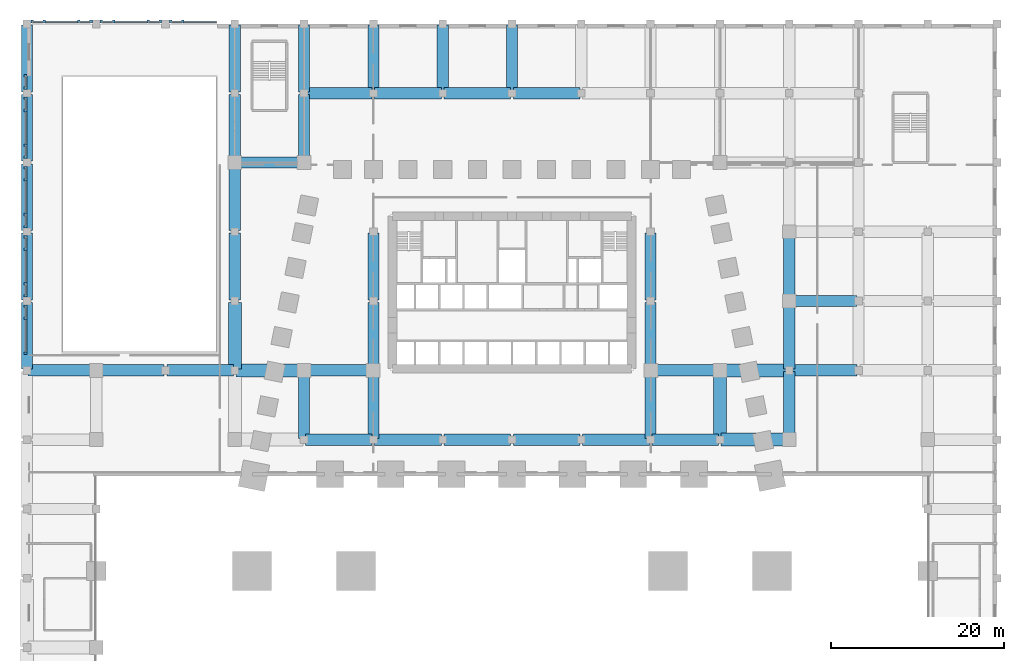
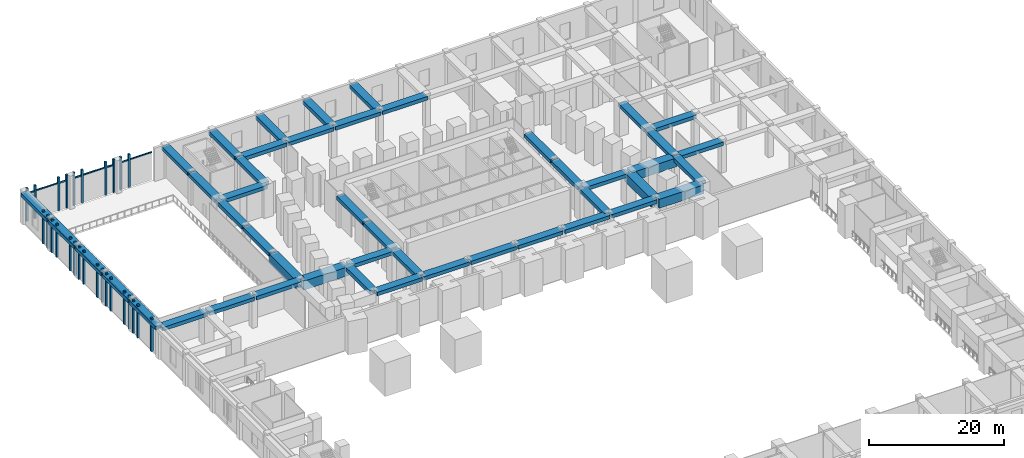
# One storey, part 2 of 25: 47 beams, 47 members, 8 elements without a shape of their own.
"""IFC4 building model written with IfcOpenShell, lengths in metres."""

from ifc_helpers import new_model, si_unit, direction, frame, origin, origin_2d, place, context, subcontext, project, spatial, rectangle, extrude, material, material_profile, profile_set, type_object, element, aggregate, save


model = new_model("IFC4")

# Units and contexts
model_context = context("Model", 3, precision=1e-05, world=origin(), true_north=direction((0.0, 1.0)))
body_context = subcontext(model_context, "Body", "Model", "MODEL_VIEW")
ifc_project = project(units=[si_unit("LENGTHUNIT", "METRE"), si_unit("AREAUNIT", "SQUARE_METRE"), si_unit("VOLUMEUNIT", "CUBIC_METRE"), si_unit("PLANEANGLEUNIT", "RADIAN"), si_unit("MASSUNIT", "GRAM", prefix="KILO")], contexts=[model_context])

# Site, building, storey
site_placement = place(None, origin())
site = spatial("IfcSite", under=ifc_project, at=site_placement, CompositionType="ELEMENT")
building_placement = place(site_placement, origin())
building = spatial("IfcBuilding", under=site, at=building_placement, Name="Isbrekke Arena Tower", CompositionType="ELEMENT")
storey_placement = place(building_placement, frame((0.0, 0.0, 6.0)))
storey = spatial("IfcBuildingStorey", under=building, at=storey_placement, Name="L01", CompositionType="ELEMENT", Elevation=6.0)

# Curtain wall, members
ifc_material_1 = material(Name="Glazed aluminium curtain wall", Category="aluminium")
curtain_wall_type = type_object("IfcCurtainWallType", Name="CWP ATRIUM CURTAIN WALL", PredefinedType="USERDEFINED", material=ifc_material_1)
curtain_wall_1_placement = place(storey_placement, origin())
curtain_wall_1 = element("IfcCurtainWall", 1, at=curtain_wall_1_placement, inside=storey, type_object=curtain_wall_type, Name="CWP curtain wall L01-PW", ObjectType="ATRIUM CURTAIN WALL", PredefinedType="USERDEFINED")
ifc_material_2 = material(Name="Aluminium mullion, pale brick slip cladding", Category="masonry")
ifc_material_profile_1 = material_profile(ifc_material_2, rectangle(XDim=0.300048828125, YDim=0.35009765625, at=origin_2d()), Name="PIER 300X350")
ifc_profile_set_1 = profile_set([ifc_material_profile_1], Name="Aluminium mullion, pale brick slip cladding")
member_type_1 = type_object("IfcMemberType", Name="CWP-M PIER MULLION 300 x 350", PredefinedType="MULLION", material=ifc_profile_set_1)
member_1_placement = place(storey_placement, frame((-56.175048828125, 40.0, 0.0), z_axis=(0.0, 0.0, 1.0), x_axis=(0.0, -1.0, 0.0)))
member_1 = element("IfcMember", 2, at=member_1_placement, type_object=member_type_1, Name="CWP-M mullion 1", PredefinedType="MULLION", context=body_context, shape_type="SweptSolid", body=[
    extrude(rectangle(XDim=0.300048828125, YDim=0.35009765625, at=origin_2d()), origin(), (0.0, 0.0, 1.0), 6.0),
])
member_2_placement = place(storey_placement, frame((-56.175048828125, 38.60009765625, 0.0), z_axis=(0.0, 0.0, 1.0), x_axis=(0.0, -1.0, 0.0)))
member_2 = element("IfcMember", 3, at=member_2_placement, type_object=member_type_1, Name="CWP-M mullion 2", PredefinedType="MULLION", context=body_context, shape_type="SweptSolid", body=[
    extrude(rectangle(XDim=0.300048828125, YDim=0.35009765625, at=origin_2d()), origin(), (0.0, 0.0, 1.0), 6.0),
])

curtain_wall_2_placement = place(storey_placement, origin())
curtain_wall_2 = element("IfcCurtainWall", 4, at=curtain_wall_2_placement, inside=storey, type_object=curtain_wall_type, Name="CWP curtain wall L01-PW2", ObjectType="ATRIUM CURTAIN WALL", PredefinedType="USERDEFINED")
member_3_placement = place(storey_placement, frame((-56.175048828125, 37.39990234375, 0.0), z_axis=(0.0, 0.0, 1.0), x_axis=(0.0, -1.0, 0.0)))
member_3 = element("IfcMember", 5, at=member_3_placement, type_object=member_type_1, Name="CWP-M mullion 1", PredefinedType="MULLION", context=body_context, shape_type="SweptSolid", body=[
    extrude(rectangle(XDim=0.300048828125, YDim=0.35009765625, at=origin_2d()), origin(), (0.0, 0.0, 1.0), 6.0),
])
member_4_placement = place(storey_placement, frame((-56.175048828125, 36.0, 0.0), z_axis=(0.0, 0.0, 1.0), x_axis=(0.0, -1.0, 0.0)))
member_4 = element("IfcMember", 6, at=member_4_placement, type_object=member_type_1, Name="CWP-M mullion 2", PredefinedType="MULLION", context=body_context, shape_type="SweptSolid", body=[
    extrude(rectangle(XDim=0.300048828125, YDim=0.35009765625, at=origin_2d()), origin(), (0.0, 0.0, 1.0), 6.0),
])
member_5_placement = place(storey_placement, frame((-56.175048828125, 32.0, 0.0), z_axis=(0.0, 0.0, 1.0), x_axis=(0.0, -1.0, 0.0)))
member_5 = element("IfcMember", 7, at=member_5_placement, type_object=member_type_1, Name="CWP-M mullion 3", PredefinedType="MULLION", context=body_context, shape_type="SweptSolid", body=[
    extrude(rectangle(XDim=0.300048828125, YDim=0.35009765625, at=origin_2d()), origin(), (0.0, 0.0, 1.0), 6.0),
])
member_6_placement = place(storey_placement, frame((-56.175048828125, 30.60009765625, 0.0), z_axis=(0.0, 0.0, 1.0), x_axis=(0.0, -1.0, 0.0)))
member_6 = element("IfcMember", 8, at=member_6_placement, type_object=member_type_1, Name="CWP-M mullion 4", PredefinedType="MULLION", context=body_context, shape_type="SweptSolid", body=[
    extrude(rectangle(XDim=0.300048828125, YDim=0.35009765625, at=origin_2d()), origin(), (0.0, 0.0, 1.0), 6.0),
])

curtain_wall_3_placement = place(storey_placement, origin())
curtain_wall_3 = element("IfcCurtainWall", 9, at=curtain_wall_3_placement, inside=storey, type_object=curtain_wall_type, Name="CWP curtain wall L01-PW3", ObjectType="ATRIUM CURTAIN WALL", PredefinedType="USERDEFINED")
member_7_placement = place(storey_placement, frame((-56.175048828125, 29.39990234375, 0.0), z_axis=(0.0, 0.0, 1.0), x_axis=(0.0, -1.0, 0.0)))
member_7 = element("IfcMember", 10, at=member_7_placement, type_object=member_type_1, Name="CWP-M mullion 1", PredefinedType="MULLION", context=body_context, shape_type="SweptSolid", body=[
    extrude(rectangle(XDim=0.300048828125, YDim=0.35009765625, at=origin_2d()), origin(), (0.0, 0.0, 1.0), 6.0),
])
member_8_placement = place(storey_placement, frame((-56.175048828125, 28.0, 0.0), z_axis=(0.0, 0.0, 1.0), x_axis=(0.0, -1.0, 0.0)))
member_8 = element("IfcMember", 11, at=member_8_placement, type_object=member_type_1, Name="CWP-M mullion 2", PredefinedType="MULLION", context=body_context, shape_type="SweptSolid", body=[
    extrude(rectangle(XDim=0.300048828125, YDim=0.35009765625, at=origin_2d()), origin(), (0.0, 0.0, 1.0), 6.0),
])
member_9_placement = place(storey_placement, frame((-56.175048828125, 24.0, 0.0), z_axis=(0.0, 0.0, 1.0), x_axis=(0.0, -1.0, 0.0)))
member_9 = element("IfcMember", 12, at=member_9_placement, type_object=member_type_1, Name="CWP-M mullion 3", PredefinedType="MULLION", context=body_context, shape_type="SweptSolid", body=[
    extrude(rectangle(XDim=0.300048828125, YDim=0.35009765625, at=origin_2d()), origin(), (0.0, 0.0, 1.0), 6.0),
])
member_10_placement = place(storey_placement, frame((-56.175048828125, 22.60009765625, 0.0), z_axis=(0.0, 0.0, 1.0), x_axis=(0.0, -1.0, 0.0)))
member_10 = element("IfcMember", 13, at=member_10_placement, type_object=member_type_1, Name="CWP-M mullion 4", PredefinedType="MULLION", context=body_context, shape_type="SweptSolid", body=[
    extrude(rectangle(XDim=0.300048828125, YDim=0.35009765625, at=origin_2d()), origin(), (0.0, 0.0, 1.0), 6.0),
])

curtain_wall_4_placement = place(storey_placement, origin())
curtain_wall_4 = element("IfcCurtainWall", 14, at=curtain_wall_4_placement, inside=storey, type_object=curtain_wall_type, Name="CWP curtain wall L01-PW4", ObjectType="ATRIUM CURTAIN WALL", PredefinedType="USERDEFINED")
member_11_placement = place(storey_placement, frame((-56.175048828125, 21.39990234375, 0.0), z_axis=(0.0, 0.0, 1.0), x_axis=(0.0, -1.0, 0.0)))
member_11 = element("IfcMember", 15, at=member_11_placement, type_object=member_type_1, Name="CWP-M mullion 1", PredefinedType="MULLION", context=body_context, shape_type="SweptSolid", body=[
    extrude(rectangle(XDim=0.300048828125, YDim=0.35009765625, at=origin_2d()), origin(), (0.0, 0.0, 1.0), 6.0),
])
member_12_placement = place(storey_placement, frame((-56.175048828125, 20.0, 0.0), z_axis=(0.0, 0.0, 1.0), x_axis=(0.0, -1.0, 0.0)))
member_12 = element("IfcMember", 16, at=member_12_placement, type_object=member_type_1, Name="CWP-M mullion 2", PredefinedType="MULLION", context=body_context, shape_type="SweptSolid", body=[
    extrude(rectangle(XDim=0.300048828125, YDim=0.35009765625, at=origin_2d()), origin(), (0.0, 0.0, 1.0), 6.0),
])
member_13_placement = place(storey_placement, frame((-56.175048828125, 16.0, 0.0), z_axis=(0.0, 0.0, 1.0), x_axis=(0.0, -1.0, 0.0)))
member_13 = element("IfcMember", 17, at=member_13_placement, type_object=member_type_1, Name="CWP-M mullion 3", PredefinedType="MULLION", context=body_context, shape_type="SweptSolid", body=[
    extrude(rectangle(XDim=0.300048828125, YDim=0.35009765625, at=origin_2d()), origin(), (0.0, 0.0, 1.0), 6.0),
])
member_14_placement = place(storey_placement, frame((-56.175048828125, 14.60009765625, 0.0), z_axis=(0.0, 0.0, 1.0), x_axis=(0.0, -1.0, 0.0)))
member_14 = element("IfcMember", 18, at=member_14_placement, type_object=member_type_1, Name="CWP-M mullion 4", PredefinedType="MULLION", context=body_context, shape_type="SweptSolid", body=[
    extrude(rectangle(XDim=0.300048828125, YDim=0.35009765625, at=origin_2d()), origin(), (0.0, 0.0, 1.0), 6.0),
])

curtain_wall_5_placement = place(storey_placement, origin())
curtain_wall_5 = element("IfcCurtainWall", 19, at=curtain_wall_5_placement, inside=storey, type_object=curtain_wall_type, Name="CWP curtain wall L01-PW5", ObjectType="ATRIUM CURTAIN WALL", PredefinedType="USERDEFINED")
member_15_placement = place(storey_placement, frame((-56.175048828125, 13.39990234375, 0.0), z_axis=(0.0, 0.0, 1.0), x_axis=(0.0, -1.0, 0.0)))
member_15 = element("IfcMember", 20, at=member_15_placement, type_object=member_type_1, Name="CWP-M mullion 1", PredefinedType="MULLION", context=body_context, shape_type="SweptSolid", body=[
    extrude(rectangle(XDim=0.300048828125, YDim=0.35009765625, at=origin_2d()), origin(), (0.0, 0.0, 1.0), 6.0),
])
member_16_placement = place(storey_placement, frame((-56.175048828125, 12.0, 0.0), z_axis=(0.0, 0.0, 1.0), x_axis=(0.0, -1.0, 0.0)))
member_16 = element("IfcMember", 21, at=member_16_placement, type_object=member_type_1, Name="CWP-M mullion 2", PredefinedType="MULLION", context=body_context, shape_type="SweptSolid", body=[
    extrude(rectangle(XDim=0.300048828125, YDim=0.35009765625, at=origin_2d()), origin(), (0.0, 0.0, 1.0), 6.0),
])
member_17_placement = place(storey_placement, frame((-56.175048828125, 8.0, 0.0), z_axis=(0.0, 0.0, 1.0), x_axis=(0.0, -1.0, 0.0)))
member_17 = element("IfcMember", 22, at=member_17_placement, type_object=member_type_1, Name="CWP-M mullion 3", PredefinedType="MULLION", context=body_context, shape_type="SweptSolid", body=[
    extrude(rectangle(XDim=0.300048828125, YDim=0.35009765625, at=origin_2d()), origin(), (0.0, 0.0, 1.0), 6.0),
])

curtain_wall_6_placement = place(storey_placement, origin())
curtain_wall_6 = element("IfcCurtainWall", 23, at=curtain_wall_6_placement, inside=storey, type_object=curtain_wall_type, Name="CWP curtain wall L01-PN", ObjectType="ATRIUM CURTAIN WALL", PredefinedType="USERDEFINED")
member_18_placement = place(storey_placement, frame((-38.0, 46.25, 0.0), z_axis=(0.0, 0.0, 1.0), x_axis=(-1.0, 0.0, 0.0)))
member_18 = element("IfcMember", 24, at=member_18_placement, type_object=member_type_1, Name="CWP-M mullion 1", PredefinedType="MULLION", context=body_context, shape_type="SweptSolid", body=[
    extrude(rectangle(XDim=0.300048828125, YDim=0.35009765625, at=origin_2d()), origin(), (0.0, 0.0, 1.0), 6.0),
])
member_19_placement = place(storey_placement, frame((-39.39990234375, 46.25, 0.0), z_axis=(0.0, 0.0, 1.0), x_axis=(-1.0, 0.0, 0.0)))
member_19 = element("IfcMember", 25, at=member_19_placement, type_object=member_type_1, Name="CWP-M mullion 2", PredefinedType="MULLION", context=body_context, shape_type="SweptSolid", body=[
    extrude(rectangle(XDim=0.300048828125, YDim=0.35009765625, at=origin_2d()), origin(), (0.0, 0.0, 1.0), 6.0),
])

curtain_wall_7_placement = place(storey_placement, origin())
curtain_wall_7 = element("IfcCurtainWall", 26, at=curtain_wall_7_placement, inside=storey, type_object=curtain_wall_type, Name="CWP curtain wall L01-PN2", ObjectType="ATRIUM CURTAIN WALL", PredefinedType="USERDEFINED")
member_20_placement = place(storey_placement, frame((-40.60009765625, 46.25, 0.0), z_axis=(0.0, 0.0, 1.0), x_axis=(-1.0, 0.0, 0.0)))
member_20 = element("IfcMember", 27, at=member_20_placement, type_object=member_type_1, Name="CWP-M mullion 1", PredefinedType="MULLION", context=body_context, shape_type="SweptSolid", body=[
    extrude(rectangle(XDim=0.300048828125, YDim=0.35009765625, at=origin_2d()), origin(), (0.0, 0.0, 1.0), 6.0),
])
member_21_placement = place(storey_placement, frame((-42.0, 46.25, 0.0), z_axis=(0.0, 0.0, 1.0), x_axis=(-1.0, 0.0, 0.0)))
member_21 = element("IfcMember", 28, at=member_21_placement, type_object=member_type_1, Name="CWP-M mullion 2", PredefinedType="MULLION", context=body_context, shape_type="SweptSolid", body=[
    extrude(rectangle(XDim=0.300048828125, YDim=0.35009765625, at=origin_2d()), origin(), (0.0, 0.0, 1.0), 6.0),
])
member_22_placement = place(storey_placement, frame((-46.0, 46.25, 0.0), z_axis=(0.0, 0.0, 1.0), x_axis=(-1.0, 0.0, 0.0)))
member_22 = element("IfcMember", 29, at=member_22_placement, type_object=member_type_1, Name="CWP-M mullion 3", PredefinedType="MULLION", context=body_context, shape_type="SweptSolid", body=[
    extrude(rectangle(XDim=0.300048828125, YDim=0.35009765625, at=origin_2d()), origin(), (0.0, 0.0, 1.0), 6.0),
])
member_23_placement = place(storey_placement, frame((-47.39990234375, 46.25, 0.0), z_axis=(0.0, 0.0, 1.0), x_axis=(-1.0, 0.0, 0.0)))
member_23 = element("IfcMember", 30, at=member_23_placement, type_object=member_type_1, Name="CWP-M mullion 4", PredefinedType="MULLION", context=body_context, shape_type="SweptSolid", body=[
    extrude(rectangle(XDim=0.300048828125, YDim=0.35009765625, at=origin_2d()), origin(), (0.0, 0.0, 1.0), 6.0),
])

curtain_wall_8_placement = place(storey_placement, origin())
curtain_wall_8 = element("IfcCurtainWall", 31, at=curtain_wall_8_placement, inside=storey, type_object=curtain_wall_type, Name="CWP curtain wall L01-PN3", ObjectType="ATRIUM CURTAIN WALL", PredefinedType="USERDEFINED")
member_24_placement = place(storey_placement, frame((-48.60009765625, 46.25, 0.0), z_axis=(0.0, 0.0, 1.0), x_axis=(-1.0, 0.0, 0.0)))
member_24 = element("IfcMember", 32, at=member_24_placement, type_object=member_type_1, Name="CWP-M mullion 1", PredefinedType="MULLION", context=body_context, shape_type="SweptSolid", body=[
    extrude(rectangle(XDim=0.300048828125, YDim=0.35009765625, at=origin_2d()), origin(), (0.0, 0.0, 1.0), 6.0),
])
member_25_placement = place(storey_placement, frame((-50.0, 46.25, 0.0), z_axis=(0.0, 0.0, 1.0), x_axis=(-1.0, 0.0, 0.0)))
member_25 = element("IfcMember", 33, at=member_25_placement, type_object=member_type_1, Name="CWP-M mullion 2", PredefinedType="MULLION", context=body_context, shape_type="SweptSolid", body=[
    extrude(rectangle(XDim=0.300048828125, YDim=0.35009765625, at=origin_2d()), origin(), (0.0, 0.0, 1.0), 6.0),
])
member_26_placement = place(storey_placement, frame((-54.0, 46.25, 0.0), z_axis=(0.0, 0.0, 1.0), x_axis=(-1.0, 0.0, 0.0)))
member_26 = element("IfcMember", 34, at=member_26_placement, type_object=member_type_1, Name="CWP-M mullion 3", PredefinedType="MULLION", context=body_context, shape_type="SweptSolid", body=[
    extrude(rectangle(XDim=0.300048828125, YDim=0.35009765625, at=origin_2d()), origin(), (0.0, 0.0, 1.0), 6.0),
])
member_27_placement = place(storey_placement, frame((-55.402099609375, 46.25, 0.0), z_axis=(0.0, 0.0, 1.0), x_axis=(-1.0, 0.0, 0.0)))
member_27 = element("IfcMember", 35, at=member_27_placement, type_object=member_type_1, Name="CWP-M mullion 4", PredefinedType="MULLION", context=body_context, shape_type="SweptSolid", body=[
    extrude(rectangle(XDim=0.300048828125, YDim=0.35009765625, at=origin_2d()), origin(), (0.0, 0.0, 1.0), 6.0),
])

# Member
ifc_material_3 = material(Name="Aluminium transom", Category="aluminium")
ifc_material_profile_2 = material_profile(ifc_material_3, rectangle(XDim=0.1201171875, YDim=0.199951171875, at=origin_2d()), Name="TRANSOM 120X200")
ifc_profile_set_2 = profile_set([ifc_material_profile_2], Name="Aluminium transom")
member_type_2 = type_object("IfcMemberType", Name="CWP-T TRANSOM 120 x 200", PredefinedType="USERDEFINED", material=ifc_profile_set_2)
member_28_placement = place(storey_placement, frame((-56.10009765625, 39.85009765625, 5.0), z_axis=(0.0, -1.0, 0.0), x_axis=(1.0, 0.0, 0.0)))
member_28 = element("IfcMember", 36, at=member_28_placement, type_object=member_type_2, Name="CWP-T transom 1", ObjectType="TRANSOM", PredefinedType="USERDEFINED", context=body_context, shape_type="SweptSolid", body=[
    extrude(rectangle(XDim=0.1201171875, YDim=0.199951171875, at=origin_2d()), origin(), (0.0, 0.0, 1.0), 1.10009765625),
])

aggregate(curtain_wall_1, [member_1, member_2, member_28])

member_29_placement = place(storey_placement, frame((-56.10009765625, 37.25, 5.0), z_axis=(0.0, -1.0, 0.0), x_axis=(1.0, 0.0, 0.0)))
member_29 = element("IfcMember", 37, at=member_29_placement, type_object=member_type_2, Name="CWP-T transom 1", ObjectType="TRANSOM", PredefinedType="USERDEFINED", context=body_context, shape_type="SweptSolid", body=[
    extrude(rectangle(XDim=0.1201171875, YDim=0.199951171875, at=origin_2d()), origin(), (0.0, 0.0, 1.0), 1.10009765625),
])

member_30_placement = place(storey_placement, frame((-56.10009765625, 35.85009765625, 5.0), z_axis=(0.0, -1.0, 0.0), x_axis=(1.0, 0.0, 0.0)))
member_30 = element("IfcMember", 38, at=member_30_placement, type_object=member_type_2, Name="CWP-T transom 2", ObjectType="TRANSOM", PredefinedType="USERDEFINED", context=body_context, shape_type="SweptSolid", body=[
    extrude(rectangle(XDim=0.1201171875, YDim=0.199951171875, at=origin_2d()), origin(), (0.0, 0.0, 1.0), 3.7001953125),
])

member_31_placement = place(storey_placement, frame((-56.10009765625, 31.85009765625, 5.0), z_axis=(0.0, -1.0, 0.0), x_axis=(1.0, 0.0, 0.0)))
member_31 = element("IfcMember", 39, at=member_31_placement, type_object=member_type_2, Name="CWP-T transom 3", ObjectType="TRANSOM", PredefinedType="USERDEFINED", context=body_context, shape_type="SweptSolid", body=[
    extrude(rectangle(XDim=0.1201171875, YDim=0.199951171875, at=origin_2d()), origin(), (0.0, 0.0, 1.0), 1.10009765625),
])

aggregate(curtain_wall_2, [member_3, member_4, member_5, member_6, member_29, member_30, member_31])

member_32_placement = place(storey_placement, frame((-56.10009765625, 29.25, 5.0), z_axis=(0.0, -1.0, 0.0), x_axis=(1.0, 0.0, 0.0)))
member_32 = element("IfcMember", 40, at=member_32_placement, type_object=member_type_2, Name="CWP-T transom 1", ObjectType="TRANSOM", PredefinedType="USERDEFINED", context=body_context, shape_type="SweptSolid", body=[
    extrude(rectangle(XDim=0.1201171875, YDim=0.199951171875, at=origin_2d()), origin(), (0.0, 0.0, 1.0), 1.10009765625),
])

member_33_placement = place(storey_placement, frame((-56.10009765625, 27.85009765625, 5.0), z_axis=(0.0, -1.0, 0.0), x_axis=(1.0, 0.0, 0.0)))
member_33 = element("IfcMember", 41, at=member_33_placement, type_object=member_type_2, Name="CWP-T transom 2", ObjectType="TRANSOM", PredefinedType="USERDEFINED", context=body_context, shape_type="SweptSolid", body=[
    extrude(rectangle(XDim=0.1201171875, YDim=0.199951171875, at=origin_2d()), origin(), (0.0, 0.0, 1.0), 3.7001953125),
])

member_34_placement = place(storey_placement, frame((-56.10009765625, 23.85009765625, 5.0), z_axis=(0.0, -1.0, 0.0), x_axis=(1.0, 0.0, 0.0)))
member_34 = element("IfcMember", 42, at=member_34_placement, type_object=member_type_2, Name="CWP-T transom 3", ObjectType="TRANSOM", PredefinedType="USERDEFINED", context=body_context, shape_type="SweptSolid", body=[
    extrude(rectangle(XDim=0.1201171875, YDim=0.199951171875, at=origin_2d()), origin(), (0.0, 0.0, 1.0), 1.10009765625),
])

aggregate(curtain_wall_3, [member_7, member_8, member_9, member_10, member_32, member_33, member_34])

member_35_placement = place(storey_placement, frame((-56.10009765625, 21.25, 5.0), z_axis=(0.0, -1.0, 0.0), x_axis=(1.0, 0.0, 0.0)))
member_35 = element("IfcMember", 43, at=member_35_placement, type_object=member_type_2, Name="CWP-T transom 1", ObjectType="TRANSOM", PredefinedType="USERDEFINED", context=body_context, shape_type="SweptSolid", body=[
    extrude(rectangle(XDim=0.1201171875, YDim=0.199951171875, at=origin_2d()), origin(), (0.0, 0.0, 1.0), 1.10009765625),
])

member_36_placement = place(storey_placement, frame((-56.10009765625, 19.85009765625, 5.0), z_axis=(0.0, -1.0, 0.0), x_axis=(1.0, 0.0, 0.0)))
member_36 = element("IfcMember", 44, at=member_36_placement, type_object=member_type_2, Name="CWP-T transom 2", ObjectType="TRANSOM", PredefinedType="USERDEFINED", context=body_context, shape_type="SweptSolid", body=[
    extrude(rectangle(XDim=0.1201171875, YDim=0.199951171875, at=origin_2d()), origin(), (0.0, 0.0, 1.0), 3.7001953125),
])

member_37_placement = place(storey_placement, frame((-56.10009765625, 15.85009765625, 5.0), z_axis=(0.0, -1.0, 0.0), x_axis=(1.0, 0.0, 0.0)))
member_37 = element("IfcMember", 45, at=member_37_placement, type_object=member_type_2, Name="CWP-T transom 3", ObjectType="TRANSOM", PredefinedType="USERDEFINED", context=body_context, shape_type="SweptSolid", body=[
    extrude(rectangle(XDim=0.1201171875, YDim=0.199951171875, at=origin_2d()), origin(), (0.0, 0.0, 1.0), 1.10009765625),
])

aggregate(curtain_wall_4, [member_11, member_12, member_13, member_14, member_35, member_36, member_37])

member_38_placement = place(storey_placement, frame((-56.10009765625, 13.25, 5.0), z_axis=(0.0, -1.0, 0.0), x_axis=(1.0, 0.0, 0.0)))
member_38 = element("IfcMember", 46, at=member_38_placement, type_object=member_type_2, Name="CWP-T transom 1", ObjectType="TRANSOM", PredefinedType="USERDEFINED", context=body_context, shape_type="SweptSolid", body=[
    extrude(rectangle(XDim=0.1201171875, YDim=0.199951171875, at=origin_2d()), origin(), (0.0, 0.0, 1.0), 1.10009765625),
])

member_39_placement = place(storey_placement, frame((-56.10009765625, 11.85009765625, 5.0), z_axis=(0.0, -1.0, 0.0), x_axis=(1.0, 0.0, 0.0)))
member_39 = element("IfcMember", 47, at=member_39_placement, type_object=member_type_2, Name="CWP-T transom 2", ObjectType="TRANSOM", PredefinedType="USERDEFINED", context=body_context, shape_type="SweptSolid", body=[
    extrude(rectangle(XDim=0.1201171875, YDim=0.199951171875, at=origin_2d()), origin(), (0.0, 0.0, 1.0), 3.7001953125),
])

aggregate(curtain_wall_5, [member_15, member_16, member_17, member_38, member_39])

member_40_placement = place(storey_placement, frame((-34.14990234375, 46.175048828125, 5.0), z_axis=(-1.0, 0.0, 0.0), x_axis=(0.0, -1.0, 0.0)))
member_40 = element("IfcMember", 48, at=member_40_placement, type_object=member_type_2, Name="CWP-T transom 1", ObjectType="TRANSOM", PredefinedType="USERDEFINED", context=body_context, shape_type="SweptSolid", body=[
    extrude(rectangle(XDim=0.1201171875, YDim=0.199951171875, at=origin_2d()), origin(), (0.0, 0.0, 1.0), 3.7001953125),
])

member_41_placement = place(storey_placement, frame((-38.14990234375, 46.175048828125, 5.0), z_axis=(-1.0, 0.0, 0.0), x_axis=(0.0, -1.0, 0.0)))
member_41 = element("IfcMember", 49, at=member_41_placement, type_object=member_type_2, Name="CWP-T transom 2", ObjectType="TRANSOM", PredefinedType="USERDEFINED", context=body_context, shape_type="SweptSolid", body=[
    extrude(rectangle(XDim=0.1201171875, YDim=0.199951171875, at=origin_2d()), origin(), (0.0, 0.0, 1.0), 1.10009765625),
])

aggregate(curtain_wall_6, [member_18, member_19, member_40, member_41])

member_42_placement = place(storey_placement, frame((-40.75, 46.175048828125, 5.0), z_axis=(-1.0, 0.0, 0.0), x_axis=(0.0, -1.0, 0.0)))
member_42 = element("IfcMember", 50, at=member_42_placement, type_object=member_type_2, Name="CWP-T transom 1", ObjectType="TRANSOM", PredefinedType="USERDEFINED", context=body_context, shape_type="SweptSolid", body=[
    extrude(rectangle(XDim=0.1201171875, YDim=0.199951171875, at=origin_2d()), origin(), (0.0, 0.0, 1.0), 1.10009765625),
])

member_43_placement = place(storey_placement, frame((-42.14990234375, 46.175048828125, 5.0), z_axis=(-1.0, 0.0, 0.0), x_axis=(0.0, -1.0, 0.0)))
member_43 = element("IfcMember", 51, at=member_43_placement, type_object=member_type_2, Name="CWP-T transom 2", ObjectType="TRANSOM", PredefinedType="USERDEFINED", context=body_context, shape_type="SweptSolid", body=[
    extrude(rectangle(XDim=0.1201171875, YDim=0.199951171875, at=origin_2d()), origin(), (0.0, 0.0, 1.0), 3.7001953125),
])

member_44_placement = place(storey_placement, frame((-46.14990234375, 46.175048828125, 5.0), z_axis=(-1.0, 0.0, 0.0), x_axis=(0.0, -1.0, 0.0)))
member_44 = element("IfcMember", 52, at=member_44_placement, type_object=member_type_2, Name="CWP-T transom 3", ObjectType="TRANSOM", PredefinedType="USERDEFINED", context=body_context, shape_type="SweptSolid", body=[
    extrude(rectangle(XDim=0.1201171875, YDim=0.199951171875, at=origin_2d()), origin(), (0.0, 0.0, 1.0), 1.10009765625),
])

aggregate(curtain_wall_7, [member_20, member_21, member_22, member_23, member_42, member_43, member_44])

member_45_placement = place(storey_placement, frame((-48.75, 46.175048828125, 5.0), z_axis=(-1.0, 0.0, 0.0), x_axis=(0.0, -1.0, 0.0)))
member_45 = element("IfcMember", 53, at=member_45_placement, type_object=member_type_2, Name="CWP-T transom 1", ObjectType="TRANSOM", PredefinedType="USERDEFINED", context=body_context, shape_type="SweptSolid", body=[
    extrude(rectangle(XDim=0.1201171875, YDim=0.199951171875, at=origin_2d()), origin(), (0.0, 0.0, 1.0), 1.10009765625),
])

member_46_placement = place(storey_placement, frame((-50.14990234375, 46.175048828125, 5.0), z_axis=(-1.0, 0.0, 0.0), x_axis=(0.0, -1.0, 0.0)))
member_46 = element("IfcMember", 54, at=member_46_placement, type_object=member_type_2, Name="CWP-T transom 2", ObjectType="TRANSOM", PredefinedType="USERDEFINED", context=body_context, shape_type="SweptSolid", body=[
    extrude(rectangle(XDim=0.1201171875, YDim=0.199951171875, at=origin_2d()), origin(), (0.0, 0.0, 1.0), 3.7001953125),
])

member_47_placement = place(storey_placement, frame((-54.14990234375, 46.175048828125, 5.0), z_axis=(-1.0, 0.0, 0.0), x_axis=(0.0, -1.0, 0.0)))
member_47 = element("IfcMember", 55, at=member_47_placement, type_object=member_type_2, Name="CWP-T transom 3", ObjectType="TRANSOM", PredefinedType="USERDEFINED", context=body_context, shape_type="SweptSolid", body=[
    extrude(rectangle(XDim=0.1201171875, YDim=0.199951171875, at=origin_2d()), origin(), (0.0, 0.0, 1.0), 1.10205078125),
])

aggregate(curtain_wall_8, [member_24, member_25, member_26, member_27, member_45, member_46, member_47])

# Beams
ifc_material_4 = material(Name="Concrete B45 (C45/55)", Category="concrete")
ifc_material_profile_3 = material_profile(ifc_material_4, rectangle(XDim=1.300048828125, YDim=0.64990234375, at=origin_2d()), Name="RC 1300x650")
ifc_profile_set_3 = profile_set([ifc_material_profile_3], Name="Concrete B45 (C45/55)")
beam_type_1 = type_object("IfcBeamType", Name="PB1 RC 1300 x 650", PredefinedType="BEAM", material=ifc_profile_set_3)
for number, where, z_axis, x_axis, name in (
    (56, (-23.85009765625, -2.0, 5.375), (1.0, 0.0, 0.0), (0.0, 1.0, 0.0), "PB1 podium beam J5 L02"),
    (57, (-24.0, -1.85009765625, 5.375), (0.0, 1.0, 0.0), (-1.0, 0.0, 0.0), "PB1 podium beam J5 L02"),
    (58, (-15.85009765625, -2.0, 5.375), (1.0, 0.0, 0.0), (0.0, 1.0, 0.0), "PB1 podium beam J6 L02"),
    (59, (-16.0, -1.85009765625, 5.375), (0.0, 1.0, 0.0), (-1.0, 0.0, 0.0), "PB1 podium beam J6 L02"),
    (60, (-7.85009765625, -2.0, 5.375), (1.0, 0.0, 0.0), (0.0, 1.0, 0.0), "PB1 podium beam J7 L02"),
    (61, (0.14990234375, -2.0, 5.375), (1.0, 0.0, 0.0), (0.0, 1.0, 0.0), "PB1 podium beam J8 L02"),
    (62, (8.14990234375, -2.0, 5.375), (1.0, 0.0, 0.0), (0.0, 1.0, 0.0), "PB1 podium beam J9 L02"),
    (63, (16.14990234375, -2.0, 5.375), (1.0, 0.0, 0.0), (0.0, 1.0, 0.0), "PB1 podium beam J10 L02"),
    (64, (16.0, -1.85009765625, 5.375), (0.0, 1.0, 0.0), (-1.0, 0.0, 0.0), "PB1 podium beam J10 L02"),
    (65, (32.0, -1.85009765625, 5.375), (0.0, 1.0, 0.0), (-1.0, 0.0, 0.0), "PB1 podium beam J12 L02"),
    (66, (-55.85009765625, 6.0, 5.375), (1.0, 0.0, 0.0), (0.0, 1.0, 0.0), "PB1 podium beam K1 L02"),
    (67, (-56.0, 6.14990234375, 5.375), (0.0, 1.0, 0.0), (-1.0, 0.0, 0.0), "PB1 podium beam K1 L02"),
    (68, (-47.85009765625, 6.0, 5.375), (1.0, 0.0, 0.0), (0.0, 1.0, 0.0), "PB1 podium beam K2 L02"),
    (69, (-39.85009765625, 6.0, 5.375), (1.0, 0.0, 0.0), (0.0, 1.0, 0.0), "PB1 podium beam K3 L02"),
    (70, (-23.85009765625, 6.0, 5.375), (1.0, 0.0, 0.0), (0.0, 1.0, 0.0), "PB1 podium beam K5 L02"),
    (71, (-16.0, 6.14990234375, 5.375), (0.0, 1.0, 0.0), (-1.0, 0.0, 0.0), "PB1 podium beam K6 L02"),
    (72, (16.14990234375, 6.0, 5.375), (1.0, 0.0, 0.0), (0.0, 1.0, 0.0), "PB1 podium beam K10 L02"),
    (73, (16.0, 6.14990234375, 5.375), (0.0, 1.0, 0.0), (-1.0, 0.0, 0.0), "PB1 podium beam K10 L02"),
    (74, (32.14990234375, 6.0, 5.375), (1.0, 0.0, 0.0), (0.0, 1.0, 0.0), "PB1 podium beam K12 L02"),
    (75, (32.0, 6.14990234375, 5.375), (0.0, 1.0, 0.0), (-1.0, 0.0, 0.0), "PB1 podium beam K12 L02"),
    (76, (-56.0, 14.14990234375, 5.375), (0.0, 1.0, 0.0), (-1.0, 0.0, 0.0), "PB1 podium beam L1 L02"),
    (77, (-32.0, 14.14990234375, 5.375), (0.0, 1.0, 0.0), (-1.0, 0.0, 0.0), "PB1 podium beam L4 L02"),
    (78, (-16.0, 14.14990234375, 5.375), (0.0, 1.0, 0.0), (-1.0, 0.0, 0.0), "PB1 podium beam L6 L02"),
    (79, (16.0, 14.14990234375, 5.375), (0.0, 1.0, 0.0), (-1.0, 0.0, 0.0), "PB1 podium beam L10 L02"),
    (80, (32.14990234375, 14.0, 5.375), (1.0, 0.0, 0.0), (0.0, 1.0, 0.0), "PB1 podium beam L12 L02"),
    (81, (32.0, 14.14990234375, 5.375), (0.0, 1.0, 0.0), (-1.0, 0.0, 0.0), "PB1 podium beam L12 L02"),
    (82, (-56.0, 22.14990234375, 5.375), (0.0, 1.0, 0.0), (-1.0, 0.0, 0.0), "PB1 podium beam M1 L02"),
    (83, (-32.0, 22.14990234375, 5.375), (0.0, 1.0, 0.0), (-1.0, 0.0, 0.0), "PB1 podium beam M4 L02"),
    (84, (-56.0, 30.14990234375, 5.375), (0.0, 1.0, 0.0), (-1.0, 0.0, 0.0), "PB1 podium beam N1 L02"),
    (85, (-31.85009765625, 30.0, 5.375), (1.0, 0.0, 0.0), (0.0, 1.0, 0.0), "PB1 podium beam N4 L02"),
    (86, (-32.0, 30.14990234375, 5.375), (0.0, 1.0, 0.0), (-1.0, 0.0, 0.0), "PB1 podium beam N4 L02"),
    (87, (-24.0, 30.14990234375, 5.375), (0.0, 1.0, 0.0), (-1.0, 0.0, 0.0), "PB1 podium beam N5 L02"),
    (88, (-56.0, 38.14990234375, 5.375), (0.0, 1.0, 0.0), (-1.0, 0.0, 0.0), "PB1 podium beam O1 L02"),
    (89, (-32.0, 38.14990234375, 5.375), (0.0, 1.0, 0.0), (-1.0, 0.0, 0.0), "PB1 podium beam O4 L02"),
    (90, (-23.85009765625, 38.0, 5.375), (1.0, 0.0, 0.0), (0.0, 1.0, 0.0), "PB1 podium beam O5 L02"),
    (91, (-24.0, 38.14990234375, 5.375), (0.0, 1.0, 0.0), (-1.0, 0.0, 0.0), "PB1 podium beam O5 L02"),
    (92, (-15.85009765625, 38.0, 5.375), (1.0, 0.0, 0.0), (0.0, 1.0, 0.0), "PB1 podium beam O6 L02"),
    (93, (-16.0, 38.14990234375, 5.375), (0.0, 1.0, 0.0), (-1.0, 0.0, 0.0), "PB1 podium beam O6 L02"),
    (94, (-7.85009765625, 38.0, 5.375), (1.0, 0.0, 0.0), (0.0, 1.0, 0.0), "PB1 podium beam O7 L02"),
    (95, (-8.0, 38.14990234375, 5.375), (0.0, 1.0, 0.0), (-1.0, 0.0, 0.0), "PB1 podium beam O7 L02"),
    (96, (0.14990234375, 38.0, 5.375), (1.0, 0.0, 0.0), (0.0, 1.0, 0.0), "PB1 podium beam O8 L02"),
    (97, (0.0, 38.14990234375, 5.375), (0.0, 1.0, 0.0), (-1.0, 0.0, 0.0), "PB1 podium beam O8 L02"),
):
    element("IfcBeam", number, at=place(storey_placement, frame(where, z_axis=z_axis, x_axis=x_axis)), inside=storey, type_object=beam_type_1, Name=name, PredefinedType="BEAM", context=body_context, shape_type="SweptSolid", body=[
        extrude(rectangle(XDim=1.300048828125, YDim=0.64990234375, at=origin_2d()), origin(), (0.0, 0.0, 1.0), 7.7001953125),
    ])
ifc_material_5 = material(Name="Concrete B45 (C45/55)", Category="concrete")
ifc_material_profile_4 = material_profile(ifc_material_5, rectangle(XDim=1.5, YDim=1.60009765625, at=origin_2d()), Name="RC 1500x1600")
ifc_profile_set_4 = profile_set([ifc_material_profile_4], Name="Concrete B45 (C45/55)")
beam_type_2 = type_object("IfcBeamType", Name="PB2 RC 1500 x 1600", PredefinedType="BEAM", material=ifc_profile_set_4)
for number, where, z_axis, x_axis, name in (
    (98, (24.14990234375, -2.0, 4.89990234375), (1.0, 0.0, 0.0), (0.0, 1.0, 0.0), "PB2 podium beam J11 L02"),
    (99, (24.0, -1.85009765625, 4.89990234375), (0.0, 1.0, 0.0), (-1.0, 0.0, 0.0), "PB2 podium beam J11 L02"),
    (100, (-31.85009765625, 6.0, 4.89990234375), (1.0, 0.0, 0.0), (0.0, 1.0, 0.0), "PB2 podium beam K4 L02"),
    (101, (-32.0, 6.14990234375, 4.89990234375), (0.0, 1.0, 0.0), (-1.0, 0.0, 0.0), "PB2 podium beam K4 L02"),
    (102, (24.14990234375, 6.0, 4.89990234375), (1.0, 0.0, 0.0), (0.0, 1.0, 0.0), "PB2 podium beam K11 L02"),
):
    element("IfcBeam", number, at=place(storey_placement, frame(where, z_axis=z_axis, x_axis=x_axis)), inside=storey, type_object=beam_type_2, Name=name, PredefinedType="BEAM", context=body_context, shape_type="SweptSolid", body=[
        extrude(rectangle(XDim=1.5, YDim=1.60009765625, at=origin_2d()), origin(), (0.0, 0.0, 1.0), 7.7001953125),
    ])

save(model, "model.ifc")
